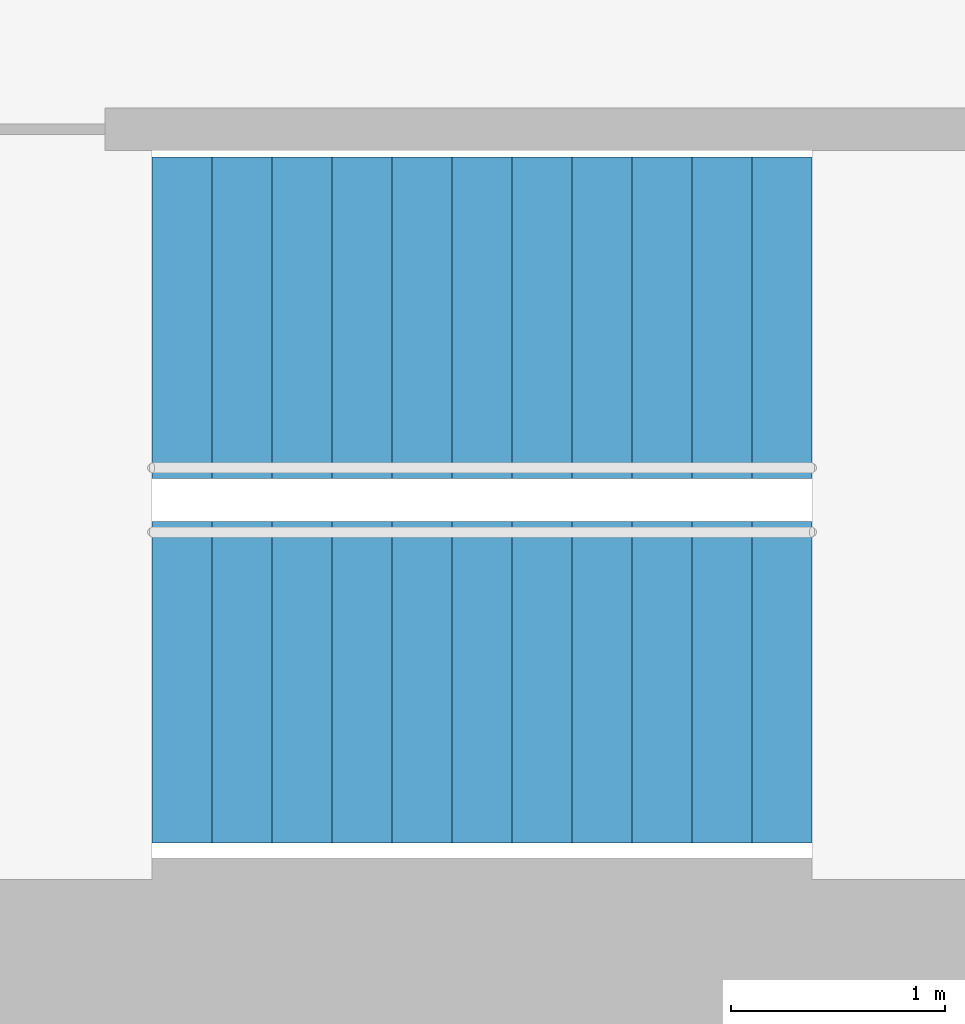
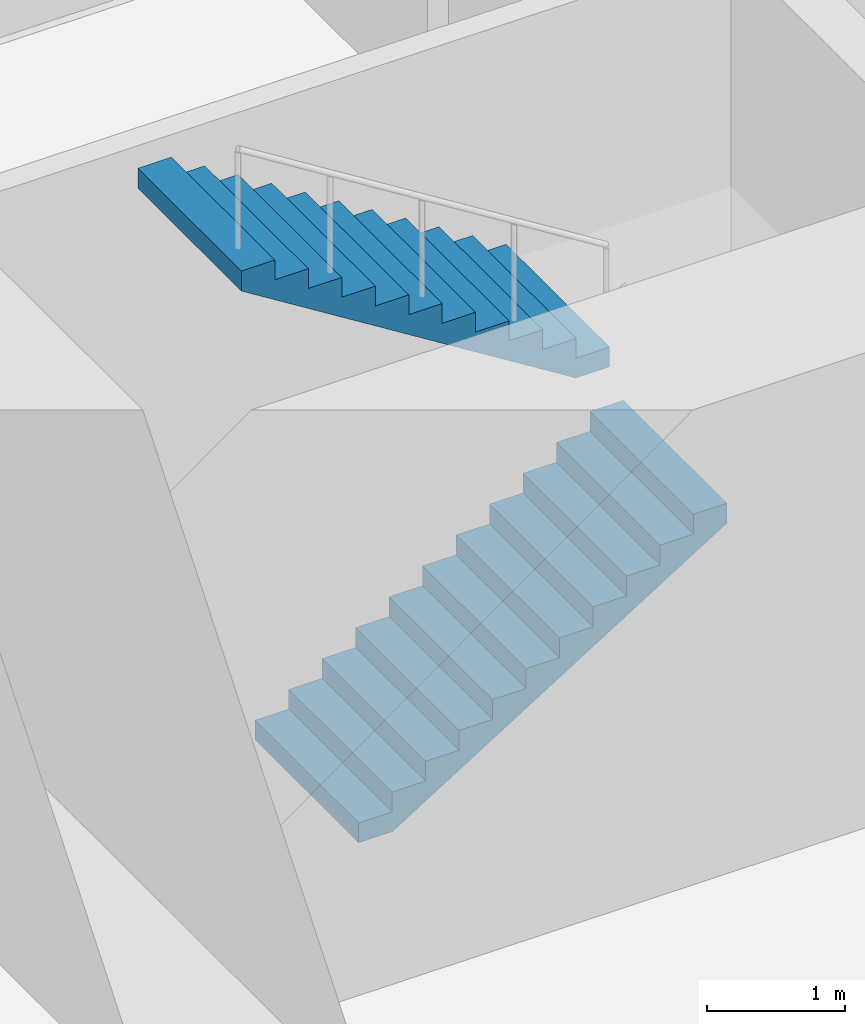
# One storey, part 16 of 18: 2 stair flights, 1 element without a shape of its own.
"""IFC4 building model written with IfcOpenShell, lengths in metres."""

from ifc_helpers import new_model, si_unit, direction, frame, origin, place, context, subcontext, project, spatial, triangles, material, type_object, element, aggregate, save


model = new_model("IFC4")

# Units and contexts
model_context = context("Model", 3, precision=1e-05, world=origin(), true_north=direction((0.0, 1.0)))
body_context = subcontext(model_context, "Body", "Model", "MODEL_VIEW")
ifc_project = project(units=[si_unit("LENGTHUNIT", "METRE"), si_unit("AREAUNIT", "SQUARE_METRE"), si_unit("VOLUMEUNIT", "CUBIC_METRE"), si_unit("PLANEANGLEUNIT", "RADIAN"), si_unit("MASSUNIT", "GRAM", prefix="KILO")], contexts=[model_context])

# Site, building, storey
site_placement = place(None, origin())
site = spatial("IfcSite", under=ifc_project, at=site_placement, CompositionType="ELEMENT")
building_placement = place(site_placement, origin())
building = spatial("IfcBuilding", under=site, at=building_placement, Name="Lantaw Convention Tower", CompositionType="ELEMENT")
storey_placement = place(building_placement, frame((0.0, 0.0, 167.800048828125)))
storey = spatial("IfcBuildingStorey", under=building, at=storey_placement, Name="L39", CompositionType="ELEMENT", Elevation=167.800048828125)

# Stair, stair flights
ifc_material = material(Name="Concrete C35/45", Category="concrete")
stair_type = type_object("IfcStairType", Name="Exit stair 1500 riser 175 in 2 flights", PredefinedType="HALF_TURN_STAIR", material=ifc_material)
stair_placement = place(storey_placement, origin())
stair = element("IfcStair", 1, at=stair_placement, inside=storey, type_object=stair_type, Name="Exit stair S1 L39", PredefinedType="HALF_TURN_STAIR")
stair_flight_type = type_object("IfcStairFlightType", Name="Stair flight 1500 riser 175", PredefinedType="STRAIGHT", material=ifc_material)
stair_flight_1_placement = place(storey_placement, frame((-10.580078125, -5.97998046875, 0.0), z_axis=(0.0, 0.0, 1.0), x_axis=(1.0, 0.0, 0.0)))
stair_flight_1 = element("IfcStairFlight", 2, at=stair_flight_1_placement, type_object=stair_flight_type, Name="S1 flight 1", NumberOfRisers=12, NumberOfTreads=11, PredefinedType="STRAIGHT", RiserHeight=0.175, TreadLength=0.28, context=body_context, shape_type="Tessellation", body=[
    triangles([(0.0, 0.75, 0.0), (0.0, 0.75, 0.175), (0.28, 0.75, 0.0), (0.28, 0.75, 0.175), (0.28, 0.75, 0.35), (0.28283517651771284, 0.75, 0.0), (0.28283517651771284, 0.75, 0.35), (0.56, 0.75, 0.17322801467642948), (0.56, 0.75, 0.35), (0.56, 0.75, 0.5249999999999999), (0.8400000000000001, 0.75, 0.34822801467642944), (0.8400000000000001, 0.75, 0.5249999999999999), (0.8400000000000001, 0.75, 0.7), (1.12, 0.75, 0.5232280146764294), (1.12, 0.75, 0.7), (1.12, 0.75, 0.875), (1.4000000000000001, 0.75, 0.6982280146764295), (1.4000000000000001, 0.75, 0.875), (1.4000000000000001, 0.75, 1.0499999999999998), (1.6800000000000002, 0.75, 0.8732280146764294), (1.6800000000000002, 0.75, 1.0499999999999998), (1.6800000000000002, 0.75, 1.2249999999999999), (1.9600000000000002, 0.75, 1.0482280146764293), (1.9600000000000002, 0.75, 1.2249999999999999), (1.9600000000000002, 0.75, 1.4), (2.24, 0.75, 1.2232280146764294), (2.24, 0.75, 1.4), (2.24, 0.75, 1.575), (2.5200000000000005, 0.75, 1.3982280146764294), (2.5200000000000005, 0.75, 1.575), (2.5200000000000005, 0.75, 1.75), (2.8000000000000003, 0.75, 1.5732280146764293), (2.8000000000000003, 0.75, 1.75), (2.8000000000000003, 0.75, 1.9249999999999998), (3.08, 0.75, 1.7482280146764293), (3.08, 0.75, 1.9249999999999998), (0.0, -0.75, 0.0), (0.0, -0.75, 0.175), (0.28, -0.75, 0.0), (0.28, -0.75, 0.175), (0.28, -0.75, 0.35), (0.28283517651771284, -0.75, 0.0), (0.28283517651771284, -0.75, 0.35), (0.56, -0.75, 0.17322801467642948), (0.56, -0.75, 0.35), (0.56, -0.75, 0.5249999999999999), (0.8400000000000001, -0.75, 0.34822801467642944), (0.8400000000000001, -0.75, 0.5249999999999999), (0.8400000000000001, -0.75, 0.7), (1.12, -0.75, 0.5232280146764294), (1.12, -0.75, 0.7), (1.12, -0.75, 0.875), (1.4000000000000001, -0.75, 0.6982280146764295), (1.4000000000000001, -0.75, 0.875), (1.4000000000000001, -0.75, 1.0499999999999998), (1.6800000000000002, -0.75, 0.8732280146764294), (1.6800000000000002, -0.75, 1.0499999999999998), (1.6800000000000002, -0.75, 1.2249999999999999), (1.9600000000000002, -0.75, 1.0482280146764293), (1.9600000000000002, -0.75, 1.2249999999999999), (1.9600000000000002, -0.75, 1.4), (2.24, -0.75, 1.2232280146764294), (2.24, -0.75, 1.4), (2.24, -0.75, 1.575), (2.5200000000000005, -0.75, 1.3982280146764294), (2.5200000000000005, -0.75, 1.575), (2.5200000000000005, -0.75, 1.75), (2.8000000000000003, -0.75, 1.5732280146764293), (2.8000000000000003, -0.75, 1.75), (2.8000000000000003, -0.75, 1.9249999999999998), (3.08, -0.75, 1.7482280146764293), (3.08, -0.75, 1.9249999999999998), (0.0, 0.15000000000000002, 0.175), (0.0, 0.15000000000000002, 0.0), (0.0, 0.0, 0.175), (0.0, 0.0, 0.0), (0.0, -0.15000000000000002, 0.175), (0.0, -0.15000000000000002, 0.0), (0.28, 0.15000000000000002, 0.35), (0.28, 0.15000000000000002, 0.175), (0.28, 0.0, 0.35), (0.28, 0.0, 0.175), (0.28, -0.15000000000000002, 0.35), (0.28, -0.15000000000000002, 0.175), (0.56, 0.15000000000000002, 0.5249999999999999), (0.56, 0.15000000000000002, 0.35), (0.56, 0.0, 0.5249999999999999), (0.56, 0.0, 0.35), (0.56, -0.15000000000000002, 0.5249999999999999), (0.56, -0.15000000000000002, 0.35), (0.8400000000000001, 0.15000000000000002, 0.7), (0.8400000000000001, 0.15000000000000002, 0.5249999999999999), (0.8400000000000001, 0.0, 0.7), (0.8400000000000001, 0.0, 0.5249999999999999), (0.8400000000000001, -0.15000000000000002, 0.7), (0.8400000000000001, -0.15000000000000002, 0.5249999999999999), (1.12, 0.15000000000000002, 0.875), (1.12, 0.15000000000000002, 0.7), (1.12, 0.0, 0.875), (1.12, 0.0, 0.7), (1.12, -0.15000000000000002, 0.875), (1.12, -0.15000000000000002, 0.7), (1.4000000000000001, 0.15000000000000002, 1.0499999999999998), (1.4000000000000001, 0.15000000000000002, 0.875), (1.4000000000000001, 0.0, 1.0499999999999998), (1.4000000000000001, 0.0, 0.875), (1.4000000000000001, -0.15000000000000002, 1.0499999999999998), (1.4000000000000001, -0.15000000000000002, 0.875), (1.6800000000000002, 0.15000000000000002, 1.2249999999999999), (1.6800000000000002, 0.15000000000000002, 1.0499999999999998), (1.6800000000000002, 0.0, 1.2249999999999999), (1.6800000000000002, 0.0, 1.0499999999999998), (1.6800000000000002, -0.15000000000000002, 1.2249999999999999), (1.6800000000000002, -0.15000000000000002, 1.0499999999999998), (1.9600000000000002, 0.15000000000000002, 1.4), (1.9600000000000002, 0.15000000000000002, 1.2249999999999999), (1.9600000000000002, 0.0, 1.4), (1.9600000000000002, 0.0, 1.2249999999999999), (1.9600000000000002, -0.15000000000000002, 1.4), (1.9600000000000002, -0.15000000000000002, 1.2249999999999999), (2.24, 0.15000000000000002, 1.575), (2.24, 0.15000000000000002, 1.4), (2.24, 0.0, 1.575), (2.24, 0.0, 1.4), (2.24, -0.15000000000000002, 1.575), (2.24, -0.15000000000000002, 1.4), (2.5200000000000005, 0.15000000000000002, 1.75), (2.5200000000000005, 0.15000000000000002, 1.575), (2.5200000000000005, 0.0, 1.75), (2.5200000000000005, 0.0, 1.575), (2.5200000000000005, -0.15000000000000002, 1.75), (2.5200000000000005, -0.15000000000000002, 1.575), (2.8000000000000003, 0.15000000000000002, 1.9249999999999998), (2.8000000000000003, 0.15000000000000002, 1.75), (2.8000000000000003, 0.0, 1.9249999999999998), (2.8000000000000003, 0.0, 1.75), (2.8000000000000003, -0.15000000000000002, 1.9249999999999998), (2.8000000000000003, -0.15000000000000002, 1.75), (0.28283517651771284, 0.15000000000000002, 0.35), (0.28283517651771284, 0.0, 0.35), (0.28283517651771284, -0.15000000000000002, 0.35), (3.08, 0.15000000000000002, 1.9249999999999998), (3.08, 0.0, 1.9249999999999998), (3.08, -0.15000000000000002, 1.9249999999999998), (3.08, 0.15000000000000002, 1.7482280146764293), (3.08, 0.0, 1.7482280146764293), (3.08, -0.15000000000000002, 1.7482280146764293), (2.8000000000000003, 0.15000000000000002, 1.5732280146764293), (2.8000000000000003, 0.0, 1.5732280146764293), (2.8000000000000003, -0.15000000000000002, 1.5732280146764293), (2.5200000000000005, 0.15000000000000002, 1.3982280146764294), (2.5200000000000005, 0.0, 1.3982280146764294), (2.5200000000000005, -0.15000000000000002, 1.3982280146764294), (2.24, 0.15000000000000002, 1.2232280146764294), (2.24, 0.0, 1.2232280146764294), (2.24, -0.15000000000000002, 1.2232280146764294), (1.9600000000000002, 0.15000000000000002, 1.0482280146764293), (1.9600000000000002, 0.0, 1.0482280146764293), (1.9600000000000002, -0.15000000000000002, 1.0482280146764293), (1.6800000000000002, 0.15000000000000002, 0.8732280146764294), (1.6800000000000002, 0.0, 0.8732280146764294), (1.6800000000000002, -0.15000000000000002, 0.8732280146764294), (1.4000000000000001, 0.15000000000000002, 0.6982280146764295), (1.4000000000000001, 0.0, 0.6982280146764295), (1.4000000000000001, -0.15000000000000002, 0.6982280146764295), (1.12, 0.15000000000000002, 0.5232280146764294), (1.12, 0.0, 0.5232280146764294), (1.12, -0.15000000000000002, 0.5232280146764294), (0.8400000000000001, 0.15000000000000002, 0.34822801467642944), (0.8400000000000001, 0.0, 0.34822801467642944), (0.8400000000000001, -0.15000000000000002, 0.34822801467642944), (0.56, 0.15000000000000002, 0.17322801467642948), (0.56, 0.0, 0.17322801467642948), (0.56, -0.15000000000000002, 0.17322801467642948), (0.28283517651771284, 0.15000000000000002, 0.0), (0.28283517651771284, 0.0, 0.0), (0.28283517651771284, -0.15000000000000002, 0.0), (0.28, 0.15000000000000002, 0.0), (0.28, 0.0, 0.0), (0.28, -0.15000000000000002, 0.0)], [[1, 4, 3], [1, 2, 4], [3, 4, 6], [4, 7, 6], [4, 5, 7], [6, 9, 8], [6, 7, 9], [8, 9, 11], [9, 12, 11], [9, 10, 12], [11, 12, 14], [12, 15, 14], [12, 13, 15], [14, 15, 17], [15, 18, 17], [15, 16, 18], [17, 18, 20], [18, 21, 20], [18, 19, 21], [20, 21, 23], [21, 24, 23], [21, 22, 24], [23, 24, 26], [24, 27, 26], [24, 25, 27], [26, 27, 29], [27, 30, 29], [27, 28, 30], [29, 30, 32], [30, 33, 32], [30, 31, 33], [32, 33, 35], [33, 36, 35], [33, 34, 36], [37, 39, 40], [37, 40, 38], [39, 42, 40], [40, 42, 43], [40, 43, 41], [42, 44, 45], [42, 45, 43], [44, 47, 45], [45, 47, 48], [45, 48, 46], [47, 50, 48], [48, 50, 51], [48, 51, 49], [50, 53, 51], [51, 53, 54], [51, 54, 52], [53, 56, 54], [54, 56, 57], [54, 57, 55], [56, 59, 57], [57, 59, 60], [57, 60, 58], [59, 62, 60], [60, 62, 63], [60, 63, 61], [62, 65, 63], [63, 65, 66], [63, 66, 64], [65, 68, 66], [66, 68, 69], [66, 69, 67], [68, 71, 69], [69, 71, 72], [69, 72, 70], [1, 73, 2], [1, 74, 73], [74, 75, 73], [74, 76, 75], [76, 77, 75], [76, 78, 77], [78, 38, 77], [78, 37, 38], [4, 79, 5], [4, 80, 79], [80, 81, 79], [80, 82, 81], [82, 83, 81], [82, 84, 83], [84, 41, 83], [84, 40, 41], [9, 85, 10], [9, 86, 85], [86, 87, 85], [86, 88, 87], [88, 89, 87], [88, 90, 89], [90, 46, 89], [90, 45, 46], [12, 91, 13], [12, 92, 91], [92, 93, 91], [92, 94, 93], [94, 95, 93], [94, 96, 95], [96, 49, 95], [96, 48, 49], [15, 97, 16], [15, 98, 97], [98, 99, 97], [98, 100, 99], [100, 101, 99], [100, 102, 101], [102, 52, 101], [102, 51, 52], [18, 103, 19], [18, 104, 103], [104, 105, 103], [104, 106, 105], [106, 107, 105], [106, 108, 107], [108, 55, 107], [108, 54, 55], [21, 109, 22], [21, 110, 109], [110, 111, 109], [110, 112, 111], [112, 113, 111], [112, 114, 113], [114, 58, 113], [114, 57, 58], [24, 115, 25], [24, 116, 115], [116, 117, 115], [116, 118, 117], [118, 119, 117], [118, 120, 119], [120, 61, 119], [120, 60, 61], [27, 121, 28], [27, 122, 121], [122, 123, 121], [122, 124, 123], [124, 125, 123], [124, 126, 125], [126, 64, 125], [126, 63, 64], [30, 127, 31], [30, 128, 127], [128, 129, 127], [128, 130, 129], [130, 131, 129], [130, 132, 131], [132, 67, 131], [132, 66, 67], [33, 133, 34], [33, 134, 133], [134, 135, 133], [134, 136, 135], [136, 137, 135], [136, 138, 137], [138, 70, 137], [138, 69, 70], [2, 80, 4], [2, 73, 80], [73, 82, 80], [73, 75, 82], [75, 84, 82], [75, 77, 84], [77, 40, 84], [77, 38, 40], [5, 139, 7], [5, 79, 139], [79, 140, 139], [79, 81, 140], [81, 141, 140], [81, 83, 141], [83, 43, 141], [83, 41, 43], [7, 86, 9], [7, 139, 86], [139, 88, 86], [139, 140, 88], [140, 90, 88], [140, 141, 90], [141, 45, 90], [141, 43, 45], [10, 92, 12], [10, 85, 92], [85, 94, 92], [85, 87, 94], [87, 96, 94], [87, 89, 96], [89, 48, 96], [89, 46, 48], [13, 98, 15], [13, 91, 98], [91, 100, 98], [91, 93, 100], [93, 102, 100], [93, 95, 102], [95, 51, 102], [95, 49, 51], [16, 104, 18], [16, 97, 104], [97, 106, 104], [97, 99, 106], [99, 108, 106], [99, 101, 108], [101, 54, 108], [101, 52, 54], [19, 110, 21], [19, 103, 110], [103, 112, 110], [103, 105, 112], [105, 114, 112], [105, 107, 114], [107, 57, 114], [107, 55, 57], [22, 116, 24], [22, 109, 116], [109, 118, 116], [109, 111, 118], [111, 120, 118], [111, 113, 120], [113, 60, 120], [113, 58, 60], [25, 122, 27], [25, 115, 122], [115, 124, 122], [115, 117, 124], [117, 126, 124], [117, 119, 126], [119, 63, 126], [119, 61, 63], [28, 128, 30], [28, 121, 128], [121, 130, 128], [121, 123, 130], [123, 132, 130], [123, 125, 132], [125, 66, 132], [125, 64, 66], [31, 134, 33], [31, 127, 134], [127, 136, 134], [127, 129, 136], [129, 138, 136], [129, 131, 138], [131, 69, 138], [131, 67, 69], [34, 142, 36], [34, 133, 142], [133, 143, 142], [133, 135, 143], [135, 144, 143], [135, 137, 144], [137, 72, 144], [137, 70, 72], [36, 145, 35], [36, 142, 145], [142, 146, 145], [142, 143, 146], [143, 147, 146], [143, 144, 147], [144, 71, 147], [144, 72, 71], [35, 148, 32], [35, 145, 148], [145, 149, 148], [145, 146, 149], [146, 150, 149], [146, 147, 150], [147, 68, 150], [147, 71, 68], [32, 151, 29], [32, 148, 151], [148, 152, 151], [148, 149, 152], [149, 153, 152], [149, 150, 153], [150, 65, 153], [150, 68, 65], [29, 154, 26], [29, 151, 154], [151, 155, 154], [151, 152, 155], [152, 156, 155], [152, 153, 156], [153, 62, 156], [153, 65, 62], [26, 157, 23], [26, 154, 157], [154, 158, 157], [154, 155, 158], [155, 159, 158], [155, 156, 159], [156, 59, 159], [156, 62, 59], [23, 160, 20], [23, 157, 160], [157, 161, 160], [157, 158, 161], [158, 162, 161], [158, 159, 162], [159, 56, 162], [159, 59, 56], [20, 163, 17], [20, 160, 163], [160, 164, 163], [160, 161, 164], [161, 165, 164], [161, 162, 165], [162, 53, 165], [162, 56, 53], [17, 166, 14], [17, 163, 166], [163, 167, 166], [163, 164, 167], [164, 168, 167], [164, 165, 168], [165, 50, 168], [165, 53, 50], [14, 169, 11], [14, 166, 169], [166, 170, 169], [166, 167, 170], [167, 171, 170], [167, 168, 171], [168, 47, 171], [168, 50, 47], [11, 172, 8], [11, 169, 172], [169, 173, 172], [169, 170, 173], [170, 174, 173], [170, 171, 174], [171, 44, 174], [171, 47, 44], [8, 175, 6], [8, 172, 175], [172, 176, 175], [172, 173, 176], [173, 177, 176], [173, 174, 177], [174, 42, 177], [174, 44, 42], [6, 178, 3], [6, 175, 178], [175, 179, 178], [175, 176, 179], [176, 180, 179], [176, 177, 180], [177, 39, 180], [177, 42, 39], [3, 74, 1], [3, 178, 74], [178, 76, 74], [178, 179, 76], [179, 78, 76], [179, 180, 78], [180, 37, 78], [180, 39, 37]], closed=True),
])
stair_flight_2_placement = place(storey_placement, frame((-7.5, -4.280029296875, 2.099853515625), z_axis=(0.0, 0.0, 1.0), x_axis=(-1.0, 0.0, 0.0)))
stair_flight_2 = element("IfcStairFlight", 3, at=stair_flight_2_placement, type_object=stair_flight_type, Name="S1 flight 2", NumberOfRisers=12, NumberOfTreads=11, PredefinedType="STRAIGHT", RiserHeight=0.175, TreadLength=0.28, context=body_context, shape_type="Tessellation", body=[
    triangles([(0.0, 0.75, 0.0), (0.0, 0.75, 0.175), (0.28, 0.75, 0.0), (0.28, 0.75, 0.175), (0.28, 0.75, 0.35), (0.28283517651771284, 0.75, 0.0), (0.28283517651771284, 0.75, 0.35), (0.56, 0.75, 0.17322801467642948), (0.56, 0.75, 0.35), (0.56, 0.75, 0.5249999999999999), (0.8400000000000001, 0.75, 0.34822801467642944), (0.8400000000000001, 0.75, 0.5249999999999999), (0.8400000000000001, 0.75, 0.7), (1.12, 0.75, 0.5232280146764294), (1.12, 0.75, 0.7), (1.12, 0.75, 0.875), (1.4000000000000001, 0.75, 0.6982280146764295), (1.4000000000000001, 0.75, 0.875), (1.4000000000000001, 0.75, 1.0499999999999998), (1.6800000000000002, 0.75, 0.8732280146764294), (1.6800000000000002, 0.75, 1.0499999999999998), (1.6800000000000002, 0.75, 1.2249999999999999), (1.9600000000000002, 0.75, 1.0482280146764293), (1.9600000000000002, 0.75, 1.2249999999999999), (1.9600000000000002, 0.75, 1.4), (2.24, 0.75, 1.2232280146764294), (2.24, 0.75, 1.4), (2.24, 0.75, 1.575), (2.5200000000000005, 0.75, 1.3982280146764294), (2.5200000000000005, 0.75, 1.575), (2.5200000000000005, 0.75, 1.75), (2.8000000000000003, 0.75, 1.5732280146764293), (2.8000000000000003, 0.75, 1.75), (2.8000000000000003, 0.75, 1.9249999999999998), (3.08, 0.75, 1.7482280146764293), (3.08, 0.75, 1.9249999999999998), (0.0, -0.75, 0.0), (0.0, -0.75, 0.175), (0.28, -0.75, 0.0), (0.28, -0.75, 0.175), (0.28, -0.75, 0.35), (0.28283517651771284, -0.75, 0.0), (0.28283517651771284, -0.75, 0.35), (0.56, -0.75, 0.17322801467642948), (0.56, -0.75, 0.35), (0.56, -0.75, 0.5249999999999999), (0.8400000000000001, -0.75, 0.34822801467642944), (0.8400000000000001, -0.75, 0.5249999999999999), (0.8400000000000001, -0.75, 0.7), (1.12, -0.75, 0.5232280146764294), (1.12, -0.75, 0.7), (1.12, -0.75, 0.875), (1.4000000000000001, -0.75, 0.6982280146764295), (1.4000000000000001, -0.75, 0.875), (1.4000000000000001, -0.75, 1.0499999999999998), (1.6800000000000002, -0.75, 0.8732280146764294), (1.6800000000000002, -0.75, 1.0499999999999998), (1.6800000000000002, -0.75, 1.2249999999999999), (1.9600000000000002, -0.75, 1.0482280146764293), (1.9600000000000002, -0.75, 1.2249999999999999), (1.9600000000000002, -0.75, 1.4), (2.24, -0.75, 1.2232280146764294), (2.24, -0.75, 1.4), (2.24, -0.75, 1.575), (2.5200000000000005, -0.75, 1.3982280146764294), (2.5200000000000005, -0.75, 1.575), (2.5200000000000005, -0.75, 1.75), (2.8000000000000003, -0.75, 1.5732280146764293), (2.8000000000000003, -0.75, 1.75), (2.8000000000000003, -0.75, 1.9249999999999998), (3.08, -0.75, 1.7482280146764293), (3.08, -0.75, 1.9249999999999998), (0.0, 0.15000000000000002, 0.175), (0.0, 0.15000000000000002, 0.0), (0.0, 0.0, 0.175), (0.0, 0.0, 0.0), (0.0, -0.15000000000000002, 0.175), (0.0, -0.15000000000000002, 0.0), (0.28, 0.15000000000000002, 0.35), (0.28, 0.15000000000000002, 0.175), (0.28, 0.0, 0.35), (0.28, 0.0, 0.175), (0.28, -0.15000000000000002, 0.35), (0.28, -0.15000000000000002, 0.175), (0.56, 0.15000000000000002, 0.5249999999999999), (0.56, 0.15000000000000002, 0.35), (0.56, 0.0, 0.5249999999999999), (0.56, 0.0, 0.35), (0.56, -0.15000000000000002, 0.5249999999999999), (0.56, -0.15000000000000002, 0.35), (0.8400000000000001, 0.15000000000000002, 0.7), (0.8400000000000001, 0.15000000000000002, 0.5249999999999999), (0.8400000000000001, 0.0, 0.7), (0.8400000000000001, 0.0, 0.5249999999999999), (0.8400000000000001, -0.15000000000000002, 0.7), (0.8400000000000001, -0.15000000000000002, 0.5249999999999999), (1.12, 0.15000000000000002, 0.875), (1.12, 0.15000000000000002, 0.7), (1.12, 0.0, 0.875), (1.12, 0.0, 0.7), (1.12, -0.15000000000000002, 0.875), (1.12, -0.15000000000000002, 0.7), (1.4000000000000001, 0.15000000000000002, 1.0499999999999998), (1.4000000000000001, 0.15000000000000002, 0.875), (1.4000000000000001, 0.0, 1.0499999999999998), (1.4000000000000001, 0.0, 0.875), (1.4000000000000001, -0.15000000000000002, 1.0499999999999998), (1.4000000000000001, -0.15000000000000002, 0.875), (1.6800000000000002, 0.15000000000000002, 1.2249999999999999), (1.6800000000000002, 0.15000000000000002, 1.0499999999999998), (1.6800000000000002, 0.0, 1.2249999999999999), (1.6800000000000002, 0.0, 1.0499999999999998), (1.6800000000000002, -0.15000000000000002, 1.2249999999999999), (1.6800000000000002, -0.15000000000000002, 1.0499999999999998), (1.9600000000000002, 0.15000000000000002, 1.4), (1.9600000000000002, 0.15000000000000002, 1.2249999999999999), (1.9600000000000002, 0.0, 1.4), (1.9600000000000002, 0.0, 1.2249999999999999), (1.9600000000000002, -0.15000000000000002, 1.4), (1.9600000000000002, -0.15000000000000002, 1.2249999999999999), (2.24, 0.15000000000000002, 1.575), (2.24, 0.15000000000000002, 1.4), (2.24, 0.0, 1.575), (2.24, 0.0, 1.4), (2.24, -0.15000000000000002, 1.575), (2.24, -0.15000000000000002, 1.4), (2.5200000000000005, 0.15000000000000002, 1.75), (2.5200000000000005, 0.15000000000000002, 1.575), (2.5200000000000005, 0.0, 1.75), (2.5200000000000005, 0.0, 1.575), (2.5200000000000005, -0.15000000000000002, 1.75), (2.5200000000000005, -0.15000000000000002, 1.575), (2.8000000000000003, 0.15000000000000002, 1.9249999999999998), (2.8000000000000003, 0.15000000000000002, 1.75), (2.8000000000000003, 0.0, 1.9249999999999998), (2.8000000000000003, 0.0, 1.75), (2.8000000000000003, -0.15000000000000002, 1.9249999999999998), (2.8000000000000003, -0.15000000000000002, 1.75), (0.28283517651771284, 0.15000000000000002, 0.35), (0.28283517651771284, 0.0, 0.35), (0.28283517651771284, -0.15000000000000002, 0.35), (3.08, 0.15000000000000002, 1.9249999999999998), (3.08, 0.0, 1.9249999999999998), (3.08, -0.15000000000000002, 1.9249999999999998), (3.08, 0.15000000000000002, 1.7482280146764293), (3.08, 0.0, 1.7482280146764293), (3.08, -0.15000000000000002, 1.7482280146764293), (2.8000000000000003, 0.15000000000000002, 1.5732280146764293), (2.8000000000000003, 0.0, 1.5732280146764293), (2.8000000000000003, -0.15000000000000002, 1.5732280146764293), (2.5200000000000005, 0.15000000000000002, 1.3982280146764294), (2.5200000000000005, 0.0, 1.3982280146764294), (2.5200000000000005, -0.15000000000000002, 1.3982280146764294), (2.24, 0.15000000000000002, 1.2232280146764294), (2.24, 0.0, 1.2232280146764294), (2.24, -0.15000000000000002, 1.2232280146764294), (1.9600000000000002, 0.15000000000000002, 1.0482280146764293), (1.9600000000000002, 0.0, 1.0482280146764293), (1.9600000000000002, -0.15000000000000002, 1.0482280146764293), (1.6800000000000002, 0.15000000000000002, 0.8732280146764294), (1.6800000000000002, 0.0, 0.8732280146764294), (1.6800000000000002, -0.15000000000000002, 0.8732280146764294), (1.4000000000000001, 0.15000000000000002, 0.6982280146764295), (1.4000000000000001, 0.0, 0.6982280146764295), (1.4000000000000001, -0.15000000000000002, 0.6982280146764295), (1.12, 0.15000000000000002, 0.5232280146764294), (1.12, 0.0, 0.5232280146764294), (1.12, -0.15000000000000002, 0.5232280146764294), (0.8400000000000001, 0.15000000000000002, 0.34822801467642944), (0.8400000000000001, 0.0, 0.34822801467642944), (0.8400000000000001, -0.15000000000000002, 0.34822801467642944), (0.56, 0.15000000000000002, 0.17322801467642948), (0.56, 0.0, 0.17322801467642948), (0.56, -0.15000000000000002, 0.17322801467642948), (0.28283517651771284, 0.15000000000000002, 0.0), (0.28283517651771284, 0.0, 0.0), (0.28283517651771284, -0.15000000000000002, 0.0), (0.28, 0.15000000000000002, 0.0), (0.28, 0.0, 0.0), (0.28, -0.15000000000000002, 0.0)], [[1, 4, 3], [1, 2, 4], [3, 4, 6], [4, 7, 6], [4, 5, 7], [6, 9, 8], [6, 7, 9], [8, 9, 11], [9, 12, 11], [9, 10, 12], [11, 12, 14], [12, 15, 14], [12, 13, 15], [14, 15, 17], [15, 18, 17], [15, 16, 18], [17, 18, 20], [18, 21, 20], [18, 19, 21], [20, 21, 23], [21, 24, 23], [21, 22, 24], [23, 24, 26], [24, 27, 26], [24, 25, 27], [26, 27, 29], [27, 30, 29], [27, 28, 30], [29, 30, 32], [30, 33, 32], [30, 31, 33], [32, 33, 35], [33, 36, 35], [33, 34, 36], [37, 39, 40], [37, 40, 38], [39, 42, 40], [40, 42, 43], [40, 43, 41], [42, 44, 45], [42, 45, 43], [44, 47, 45], [45, 47, 48], [45, 48, 46], [47, 50, 48], [48, 50, 51], [48, 51, 49], [50, 53, 51], [51, 53, 54], [51, 54, 52], [53, 56, 54], [54, 56, 57], [54, 57, 55], [56, 59, 57], [57, 59, 60], [57, 60, 58], [59, 62, 60], [60, 62, 63], [60, 63, 61], [62, 65, 63], [63, 65, 66], [63, 66, 64], [65, 68, 66], [66, 68, 69], [66, 69, 67], [68, 71, 69], [69, 71, 72], [69, 72, 70], [1, 73, 2], [1, 74, 73], [74, 75, 73], [74, 76, 75], [76, 77, 75], [76, 78, 77], [78, 38, 77], [78, 37, 38], [4, 79, 5], [4, 80, 79], [80, 81, 79], [80, 82, 81], [82, 83, 81], [82, 84, 83], [84, 41, 83], [84, 40, 41], [9, 85, 10], [9, 86, 85], [86, 87, 85], [86, 88, 87], [88, 89, 87], [88, 90, 89], [90, 46, 89], [90, 45, 46], [12, 91, 13], [12, 92, 91], [92, 93, 91], [92, 94, 93], [94, 95, 93], [94, 96, 95], [96, 49, 95], [96, 48, 49], [15, 97, 16], [15, 98, 97], [98, 99, 97], [98, 100, 99], [100, 101, 99], [100, 102, 101], [102, 52, 101], [102, 51, 52], [18, 103, 19], [18, 104, 103], [104, 105, 103], [104, 106, 105], [106, 107, 105], [106, 108, 107], [108, 55, 107], [108, 54, 55], [21, 109, 22], [21, 110, 109], [110, 111, 109], [110, 112, 111], [112, 113, 111], [112, 114, 113], [114, 58, 113], [114, 57, 58], [24, 115, 25], [24, 116, 115], [116, 117, 115], [116, 118, 117], [118, 119, 117], [118, 120, 119], [120, 61, 119], [120, 60, 61], [27, 121, 28], [27, 122, 121], [122, 123, 121], [122, 124, 123], [124, 125, 123], [124, 126, 125], [126, 64, 125], [126, 63, 64], [30, 127, 31], [30, 128, 127], [128, 129, 127], [128, 130, 129], [130, 131, 129], [130, 132, 131], [132, 67, 131], [132, 66, 67], [33, 133, 34], [33, 134, 133], [134, 135, 133], [134, 136, 135], [136, 137, 135], [136, 138, 137], [138, 70, 137], [138, 69, 70], [2, 80, 4], [2, 73, 80], [73, 82, 80], [73, 75, 82], [75, 84, 82], [75, 77, 84], [77, 40, 84], [77, 38, 40], [5, 139, 7], [5, 79, 139], [79, 140, 139], [79, 81, 140], [81, 141, 140], [81, 83, 141], [83, 43, 141], [83, 41, 43], [7, 86, 9], [7, 139, 86], [139, 88, 86], [139, 140, 88], [140, 90, 88], [140, 141, 90], [141, 45, 90], [141, 43, 45], [10, 92, 12], [10, 85, 92], [85, 94, 92], [85, 87, 94], [87, 96, 94], [87, 89, 96], [89, 48, 96], [89, 46, 48], [13, 98, 15], [13, 91, 98], [91, 100, 98], [91, 93, 100], [93, 102, 100], [93, 95, 102], [95, 51, 102], [95, 49, 51], [16, 104, 18], [16, 97, 104], [97, 106, 104], [97, 99, 106], [99, 108, 106], [99, 101, 108], [101, 54, 108], [101, 52, 54], [19, 110, 21], [19, 103, 110], [103, 112, 110], [103, 105, 112], [105, 114, 112], [105, 107, 114], [107, 57, 114], [107, 55, 57], [22, 116, 24], [22, 109, 116], [109, 118, 116], [109, 111, 118], [111, 120, 118], [111, 113, 120], [113, 60, 120], [113, 58, 60], [25, 122, 27], [25, 115, 122], [115, 124, 122], [115, 117, 124], [117, 126, 124], [117, 119, 126], [119, 63, 126], [119, 61, 63], [28, 128, 30], [28, 121, 128], [121, 130, 128], [121, 123, 130], [123, 132, 130], [123, 125, 132], [125, 66, 132], [125, 64, 66], [31, 134, 33], [31, 127, 134], [127, 136, 134], [127, 129, 136], [129, 138, 136], [129, 131, 138], [131, 69, 138], [131, 67, 69], [34, 142, 36], [34, 133, 142], [133, 143, 142], [133, 135, 143], [135, 144, 143], [135, 137, 144], [137, 72, 144], [137, 70, 72], [36, 145, 35], [36, 142, 145], [142, 146, 145], [142, 143, 146], [143, 147, 146], [143, 144, 147], [144, 71, 147], [144, 72, 71], [35, 148, 32], [35, 145, 148], [145, 149, 148], [145, 146, 149], [146, 150, 149], [146, 147, 150], [147, 68, 150], [147, 71, 68], [32, 151, 29], [32, 148, 151], [148, 152, 151], [148, 149, 152], [149, 153, 152], [149, 150, 153], [150, 65, 153], [150, 68, 65], [29, 154, 26], [29, 151, 154], [151, 155, 154], [151, 152, 155], [152, 156, 155], [152, 153, 156], [153, 62, 156], [153, 65, 62], [26, 157, 23], [26, 154, 157], [154, 158, 157], [154, 155, 158], [155, 159, 158], [155, 156, 159], [156, 59, 159], [156, 62, 59], [23, 160, 20], [23, 157, 160], [157, 161, 160], [157, 158, 161], [158, 162, 161], [158, 159, 162], [159, 56, 162], [159, 59, 56], [20, 163, 17], [20, 160, 163], [160, 164, 163], [160, 161, 164], [161, 165, 164], [161, 162, 165], [162, 53, 165], [162, 56, 53], [17, 166, 14], [17, 163, 166], [163, 167, 166], [163, 164, 167], [164, 168, 167], [164, 165, 168], [165, 50, 168], [165, 53, 50], [14, 169, 11], [14, 166, 169], [166, 170, 169], [166, 167, 170], [167, 171, 170], [167, 168, 171], [168, 47, 171], [168, 50, 47], [11, 172, 8], [11, 169, 172], [169, 173, 172], [169, 170, 173], [170, 174, 173], [170, 171, 174], [171, 44, 174], [171, 47, 44], [8, 175, 6], [8, 172, 175], [172, 176, 175], [172, 173, 176], [173, 177, 176], [173, 174, 177], [174, 42, 177], [174, 44, 42], [6, 178, 3], [6, 175, 178], [175, 179, 178], [175, 176, 179], [176, 180, 179], [176, 177, 180], [177, 39, 180], [177, 42, 39], [3, 74, 1], [3, 178, 74], [178, 76, 74], [178, 179, 76], [179, 78, 76], [179, 180, 78], [180, 37, 78], [180, 39, 37]], closed=True),
])
aggregate(stair, [stair_flight_1, stair_flight_2])

save(model, "model.ifc")
